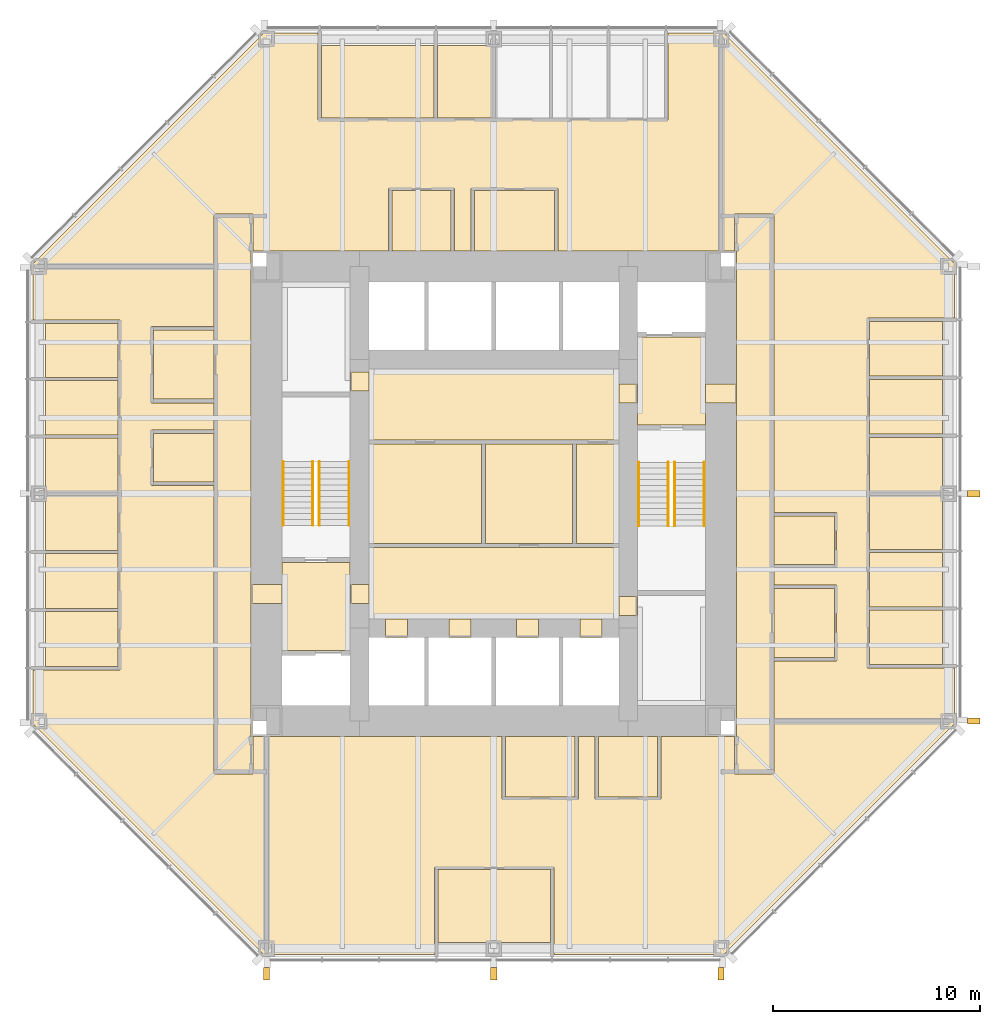
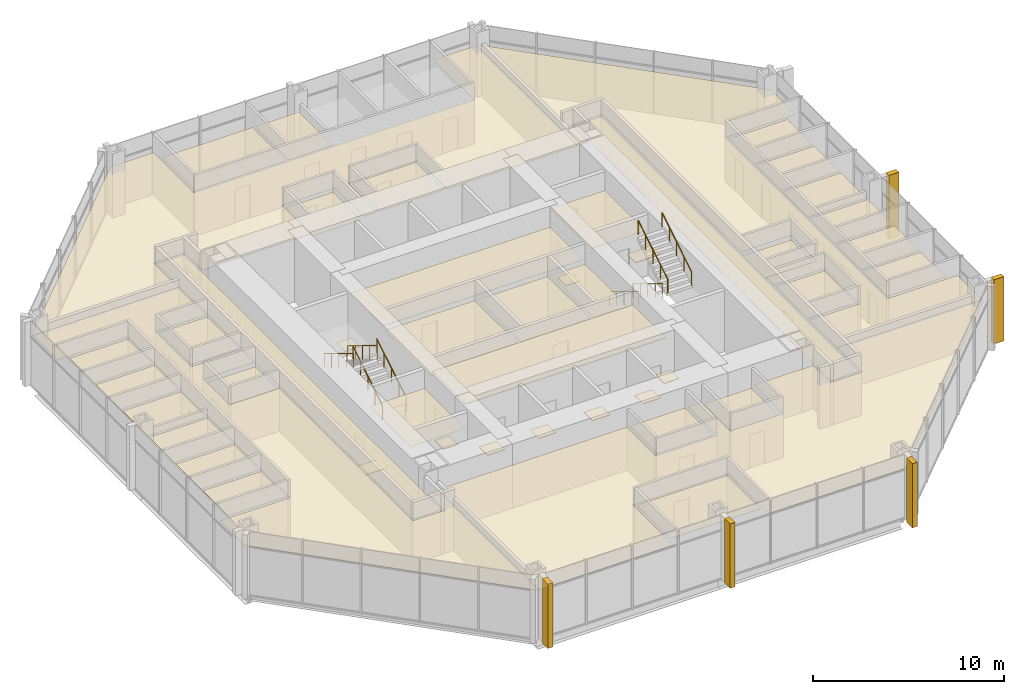
# One storey, part 13 of 14: 51 coverings, 8 railings.
"""IFC4 building model written with IfcOpenShell, lengths in metres."""

import ifcopenshell
import ifcopenshell.guid

model = None  # the IFC model being written
_history = None  # IfcOwnerHistory: only IFC2X3 demands one
_inside = {}  # id of a spatial element -> (the spatial element, [elements in it])
_under = {}  # id of a project, library or spatial element -> (it, [spatial elements below it])
_declared = {}  # id of a project -> (the project, [libraries it declares])
_typed = {}  # id of a type object -> (the type object, [elements of that type])
_made_of = {}  # id of a material, layer set ... -> (it, [elements and type objects made of it])


def new_model(schema):
    """Start an empty IFC model of exactly this schema.

    Asked for "IFC4X3", IfcOpenShell would pick the latest addendum, in which some entities
    have other attributes; the version numbers below select the first issue.
    IFC2X3 requires an IfcOwnerHistory on every rooted entity: one is made here for all.
    """
    global model, _history
    if schema == "IFC4X3":
        model = ifcopenshell.file(schema_version=(4, 3, 0, 0))
    else:
        model = ifcopenshell.file(schema=schema)
    _inside.clear()
    _under.clear()
    _declared.clear()
    _typed.clear()
    _made_of.clear()
    _history = None
    if model.schema == "IFC2X3":
        org = make("IfcOrganization", Name="unknown")
        user = make(
            "IfcPersonAndOrganization",
            ThePerson=make("IfcPerson", FamilyName="unknown"),
            TheOrganization=org,
        )
        app = make(
            "IfcApplication",
            ApplicationDeveloper=org,
            Version="unknown",
            ApplicationFullName="unknown",
            ApplicationIdentifier="unknown",
        )
        _history = make(
            "IfcOwnerHistory",
            OwningUser=user,
            OwningApplication=app,
            ChangeAction="ADDED",
            CreationDate=0,
        )
    return model


def make(cls, **values):
    """One entity of the class cls with the attributes given. An attribute that is None is left unset."""
    return model.create_entity(
        cls, **{name: value for name, value in values.items() if value is not None}
    )


def rooted(cls, **values):
    """An entity with a GlobalId (a new one), such as an element, a storey or a relation."""
    return make(cls, GlobalId=ifcopenshell.guid.new(), OwnerHistory=_history, **values)


def si_unit(unit_type, name, prefix=None):
    """IfcSIUnit, for example si_unit("LENGTHUNIT", "METRE", prefix="MILLI")."""
    return make("IfcSIUnit", UnitType=unit_type, Prefix=prefix, Name=name)


def assignment(units):
    """IfcUnitAssignment: the units of a project."""
    return None if units is None else make("IfcUnitAssignment", Units=units)


def point(xyz):
    """IfcCartesianPoint."""
    return None if xyz is None else make("IfcCartesianPoint", Coordinates=xyz)


def direction(xyz):
    """IfcDirection."""
    return None if xyz is None else make("IfcDirection", DirectionRatios=xyz)


def frame(location, z_axis=None, x_axis=None):
    """IfcAxis2Placement3D, a coordinate frame: its origin and axes. An axis left out is left unset."""
    return make(
        "IfcAxis2Placement3D",
        Location=point(location),
        Axis=direction(z_axis),
        RefDirection=direction(x_axis),
    )


def frame_2d(location, x_axis=None):
    """IfcAxis2Placement2D, a coordinate frame in the plane: its origin and x axis."""
    return make(
        "IfcAxis2Placement2D", Location=point(location), RefDirection=direction(x_axis)
    )


def origin():
    """The frame at (0, 0, 0) with its axes left unset."""
    return frame((0.0, 0.0, 0.0))


def origin_2d():
    """The frame at (0, 0) in the plane with its x axis left unset."""
    return frame_2d((0.0, 0.0))


def place(relative_to, where):
    """IfcLocalPlacement: puts the frame where relative to a parent placement (None: the world)."""
    return make(
        "IfcLocalPlacement", PlacementRelTo=relative_to, RelativePlacement=where
    )


def context(
    kind, dimensions, precision=None, world=None, true_north=None, identifier=None
):
    """IfcGeometricRepresentationContext, for example the 3D "Model" context."""
    return make(
        "IfcGeometricRepresentationContext",
        ContextIdentifier=identifier,
        ContextType=kind,
        CoordinateSpaceDimension=dimensions,
        Precision=precision,
        WorldCoordinateSystem=world,
        TrueNorth=true_north,
    )


def subcontext(parent, identifier, kind, view, scale=None):
    """IfcGeometricRepresentationSubContext, for example "Body" below "Model"."""
    return make(
        "IfcGeometricRepresentationSubContext",
        ContextIdentifier=identifier,
        ContextType=kind,
        ParentContext=parent,
        TargetScale=scale,
        TargetView=view,
    )


def project(units=None, contexts=None):
    """IfcProject with its units and contexts."""
    return rooted(
        "IfcProject",
        Name="project",
        RepresentationContexts=contexts,
        UnitsInContext=assignment(units),
    )


def spatial(cls, under=None, at=None, **own):
    """A site, building, storey or space (cls), placed at a placement, below another one or the project."""
    s = rooted(cls, ObjectPlacement=at, **own)
    if under is not None:
        _under.setdefault(under.id(), (under, []))[1].append(s)
    return s


def polyline(points):
    """IfcPolyline through the points."""
    return make("IfcPolyline", Points=[point(p) for p in points])


def profile(cls, at=None, kind="AREA", **sizes):
    """A parametric profile (cls). Its sizes go by their IFC names, for example OverallWidth=200.0."""
    return make(cls, ProfileType=kind, Position=at, **sizes)


def rectangle(**sizes):
    """IfcRectangleProfileDef."""
    return profile("IfcRectangleProfileDef", **sizes)


def circle(**sizes):
    """IfcCircleProfileDef."""
    return profile("IfcCircleProfileDef", **sizes)


def outline(outer, holes=None, kind="AREA"):
    """IfcArbitraryClosedProfileDef: a profile drawn as a closed curve; with holes, ...WithVoids."""
    if holes is None:
        return make("IfcArbitraryClosedProfileDef", ProfileType=kind, OuterCurve=outer)
    return make(
        "IfcArbitraryProfileDefWithVoids",
        ProfileType=kind,
        OuterCurve=outer,
        InnerCurves=holes,
    )


def extrude(swept, where, along, depth):
    """IfcExtrudedAreaSolid: the profile swept, set in the frame where, extruded along a direction by depth."""
    return make(
        "IfcExtrudedAreaSolid",
        SweptArea=swept,
        Position=where,
        ExtrudedDirection=direction(along),
        Depth=depth,
    )


def shape(context_of_items, identifier, shape_type, items):
    """IfcShapeRepresentation: the items that make up one representation, for example the "Body"."""
    return make(
        "IfcShapeRepresentation",
        ContextOfItems=context_of_items,
        RepresentationIdentifier=identifier,
        RepresentationType=shape_type,
        Items=items,
    )


def material(Name=None, Category=None):
    """IfcMaterial."""
    return make("IfcMaterial", Name=Name, Category=Category)


def layer(
    of_material, thickness, ventilated=None, Name=None, Category=None, Priority=None
):
    """IfcMaterialLayer: one layer of a wall or slab, of a material (None: an air gap)."""
    return make(
        "IfcMaterialLayer",
        Material=of_material,
        LayerThickness=thickness,
        IsVentilated=ventilated,
        Name=Name,
        Category=Category,
        Priority=Priority,
    )


def layer_set(layers, Name=None):
    """IfcMaterialLayerSet."""
    return make("IfcMaterialLayerSet", MaterialLayers=layers, LayerSetName=Name)


def made_of(thing, what):
    """Note that an element or type object is made of a material, layer set ...; save() writes the relation."""
    if what is not None:
        _made_of.setdefault(what.id(), (what, []))[1].append(thing)
    return thing


def type_object(cls, material=None, **own):
    """A type object (cls), such as IfcWallType, which elements share."""
    return made_of(rooted(cls, **own), material)


def element(
    cls,
    number,
    at=None,
    inside=None,
    cuts=None,
    type_object=None,
    material=None,
    context=None,
    identifier="Body",
    shape_type=None,
    held_by="IfcProductDefinitionShape",
    body=None,
    shapes=None,
    **own,
):
    """One element of the class cls, such as IfcWall. Its Tag is "e" and its number.

    at: its placement. inside: the storey or other place that contains it. cuts: it is an
    opening in that element (IfcRelVoidsElement). A single representation is given by context,
    identifier, shape_type and body (its items); several are given by shapes. held_by: the class
    of the entity that holds the representations. save() writes the other relations.
    """
    e = rooted(cls, Tag="e%d" % number, ObjectPlacement=at, **own)
    if body is not None:
        shapes = [shape(context, identifier, shape_type, body)]
    if shapes is not None:
        e.Representation = make(held_by, Representations=shapes)
    if inside is not None:
        _inside.setdefault(inside.id(), (inside, []))[1].append(e)
    if cuts is not None:
        rooted(
            "IfcRelVoidsElement", RelatingBuildingElement=cuts, RelatedOpeningElement=e
        )
    if type_object is not None:
        _typed.setdefault(type_object.id(), (type_object, []))[1].append(e)
    return made_of(e, material)


def aggregate(whole, parts):
    """IfcRelAggregates: a whole, such as a stair, and the parts it consists of."""
    return rooted("IfcRelAggregates", RelatingObject=whole, RelatedObjects=parts)


def save(model, path):
    """Write the relations noted so far, then the file.

    IfcRelAggregates (storeys below a building ...), IfcRelContainedInSpatialStructure (elements
    in a storey), IfcRelDefinesByType, IfcRelAssociatesMaterial and IfcRelDeclares: one each for
    every whole, place, type object, material and project.
    """
    for whole, parts in _under.values():
        aggregate(whole, parts)
    for where, things in _inside.values():
        rooted(
            "IfcRelContainedInSpatialStructure",
            RelatedElements=things,
            RelatingStructure=where,
        )
    for kind, things in _typed.values():
        rooted("IfcRelDefinesByType", RelatedObjects=things, RelatingType=kind)
    for what, things in _made_of.values():
        rooted("IfcRelAssociatesMaterial", RelatedObjects=things, RelatingMaterial=what)
    for by, libraries in _declared.values():
        rooted("IfcRelDeclares", RelatingContext=by, RelatedDefinitions=libraries)
    model.write(path)


model = new_model("IFC4")

# Units and contexts
model_context = context("Model", 3, precision=1e-05, world=origin(), true_north=direction((0.0, 1.0)))
body_context = subcontext(model_context, "Body", "Model", "MODEL_VIEW")
ifc_project = project(units=[si_unit("LENGTHUNIT", "METRE"), si_unit("AREAUNIT", "SQUARE_METRE"), si_unit("VOLUMEUNIT", "CUBIC_METRE"), si_unit("PLANEANGLEUNIT", "RADIAN"), si_unit("MASSUNIT", "GRAM", prefix="KILO")], contexts=[model_context])

# Site, building, storey
site_placement = place(None, origin())
site = spatial("IfcSite", under=ifc_project, at=site_placement, CompositionType="ELEMENT")
building_placement = place(site_placement, origin())
building = spatial("IfcBuilding", under=site, at=building_placement, Name="Trevanion Tower", CompositionType="ELEMENT")
storey_placement = place(building_placement, frame((0.0, 0.0, 109.0)))
storey = spatial("IfcBuildingStorey", under=building, at=storey_placement, Name="L25", CompositionType="ELEMENT", Elevation=109.0)

# Coverings
ifc_material_1 = material(Name="Fibrous plaster coffers on suspended steel grid", Category="steel")
ifc_layer_1 = layer(ifc_material_1, 0.050048828125)
ifc_layer_set_1 = layer_set([ifc_layer_1], Name="CL1 coffered fibrous plaster ceiling 50")
covering_type_1 = type_object("IfcCoveringType", Name="CL1 coffered fibrous plaster ceiling 50", PredefinedType="CEILING", material=ifc_layer_set_1)
covering_1_placement = place(storey_placement, frame((0.0, 0.0, 3.0)))
element("IfcCovering", 1, at=covering_1_placement, inside=storey, type_object=covering_type_1, Name="CL1 L25-LBS", PredefinedType="CEILING", context=body_context, shape_type="SweptSolid", body=[
    extrude(outline(polyline([(6.050048828125, -6.050048828125), (6.050048828125, -2.60009765625), (-6.050048828125, -2.60009765625), (-6.050048828125, -6.050048828125), (6.050048828125, -6.050048828125)])), origin(), (0.0, 0.0, 1.0), 0.050048828125),
])
ifc_material_2 = material(Name="Mineral fibre acoustic tiles in exposed grid", Category="mineral fibre")
ifc_layer_2 = layer(ifc_material_2, 0.02001953125)
ifc_layer_set_2 = layer_set([ifc_layer_2], Name="CL2 acoustic tile ceiling 20")
covering_type_2 = type_object("IfcCoveringType", Name="CL2 acoustic tile ceiling 20", PredefinedType="CEILING", material=ifc_layer_set_2)
covering_2_placement = place(storey_placement, frame((0.0, 0.0, 2.75)))
element("IfcCovering", 2, at=covering_2_placement, inside=storey, type_object=covering_type_2, Name="CL2 L25-LBN", PredefinedType="CEILING", context=body_context, shape_type="SweptSolid", body=[
    extrude(outline(polyline([(6.050048828125, 2.60009765625), (6.050048828125, 6.050048828125), (-6.050048828125, 6.050048828125), (-6.050048828125, 2.60009765625), (6.050048828125, 2.60009765625)])), origin(), (0.0, 0.0, 1.0), 0.02001953125),
])
covering_3_placement = place(storey_placement, frame((0.0, 0.0, 2.75)))
element("IfcCovering", 3, at=covering_3_placement, inside=storey, type_object=covering_type_2, Name="CL2 L25-CO1", PredefinedType="CEILING", context=body_context, shape_type="SweptSolid", body=[
    extrude(outline(polyline([(-11.75, 13.449951171875), (-11.75, -13.449951171875), (-13.449951171875, -13.449951171875), (-13.449951171875, 13.449951171875), (-11.75, 13.449951171875)])), origin(), (0.0, 0.0, 1.0), 0.02001953125),
])
covering_4_placement = place(storey_placement, frame((0.0, 0.0, 2.75)))
element("IfcCovering", 4, at=covering_4_placement, inside=storey, type_object=covering_type_2, Name="CL2 L25-CO2", PredefinedType="CEILING", context=body_context, shape_type="SweptSolid", body=[
    extrude(outline(polyline([(11.75, 13.449951171875), (13.449951171875, 13.449951171875), (13.449951171875, -13.449951171875), (11.75, -13.449951171875), (11.75, 13.449951171875)])), origin(), (0.0, 0.0, 1.0), 0.02001953125),
])
covering_5_placement = place(storey_placement, frame((0.0, 0.0, 2.75)))
element("IfcCovering", 5, at=covering_5_placement, inside=storey, type_object=covering_type_2, Name="CL2 L25-OF", PredefinedType="CEILING", context=body_context, shape_type="SweptSolid", body=[
    extrude(outline(polyline([(18.175048828125, -8.248046875), (18.175048828125, -5.6240234375), (21.699951171875, -5.6240234375), (21.699951171875, -8.248046875), (18.175048828125, -8.248046875)])), origin(), (0.0, 0.0, 1.0), 0.02001953125),
])
covering_6_placement = place(storey_placement, frame((0.0, 0.0, 2.75)))
element("IfcCovering", 6, at=covering_6_placement, inside=storey, type_object=covering_type_2, Name="CL2 L25-OF2", PredefinedType="CEILING", context=body_context, shape_type="SweptSolid", body=[
    extrude(outline(polyline([(18.175048828125, -5.47412109375), (18.175048828125, -2.85009765625), (21.699951171875, -2.85009765625), (21.699951171875, -5.47412109375), (18.175048828125, -5.47412109375)])), origin(), (0.0, 0.0, 1.0), 0.02001953125),
])
covering_7_placement = place(storey_placement, frame((0.0, 0.0, 2.75)))
element("IfcCovering", 7, at=covering_7_placement, inside=storey, type_object=covering_type_2, Name="CL2 L25-OF3", PredefinedType="CEILING", context=body_context, shape_type="SweptSolid", body=[
    extrude(outline(polyline([(18.175048828125, -2.699951171875), (18.175048828125, -0.074951171875), (21.699951171875, -0.074951171875), (21.699951171875, -2.699951171875), (18.175048828125, -2.699951171875)])), origin(), (0.0, 0.0, 1.0), 0.02001953125),
])
covering_8_placement = place(storey_placement, frame((0.0, 0.0, 2.75)))
element("IfcCovering", 8, at=covering_8_placement, inside=storey, type_object=covering_type_2, Name="CL2 L25-OF4", PredefinedType="CEILING", context=body_context, shape_type="SweptSolid", body=[
    extrude(outline(polyline([(18.175048828125, 0.074951171875), (18.175048828125, 2.73193359375), (21.699951171875, 2.73193359375), (21.699951171875, 0.074951171875), (18.175048828125, 0.074951171875)])), origin(), (0.0, 0.0, 1.0), 0.02001953125),
])
covering_9_placement = place(storey_placement, frame((0.0, 0.0, 2.75)))
element("IfcCovering", 9, at=covering_9_placement, inside=storey, type_object=covering_type_2, Name="CL2 L25-OF5", PredefinedType="CEILING", context=body_context, shape_type="SweptSolid", body=[
    extrude(outline(polyline([(18.175048828125, 2.882080078125), (18.175048828125, 5.5390625), (21.699951171875, 5.5390625), (21.699951171875, 2.882080078125), (18.175048828125, 2.882080078125)])), origin(), (0.0, 0.0, 1.0), 0.02001953125),
])
covering_10_placement = place(storey_placement, frame((0.0, 0.0, 2.75)))
element("IfcCovering", 10, at=covering_10_placement, inside=storey, type_object=covering_type_2, Name="CL2 L25-OF6", PredefinedType="CEILING", context=body_context, shape_type="SweptSolid", body=[
    extrude(outline(polyline([(18.175048828125, 5.68896484375), (18.175048828125, 8.345947265625), (21.699951171875, 8.345947265625), (21.699951171875, 5.68896484375), (18.175048828125, 5.68896484375)])), origin(), (0.0, 0.0, 1.0), 0.02001953125),
])
covering_11_placement = place(storey_placement, frame((0.0, 0.0, 2.75)))
element("IfcCovering", 11, at=covering_11_placement, inside=storey, type_object=covering_type_2, Name="CL2 L25-OF10", PredefinedType="CEILING", context=body_context, shape_type="SweptSolid", body=[
    extrude(outline(polyline([(-0.074951171875, 18.175048828125), (-2.73193359375, 18.175048828125), (-2.73193359375, 21.699951171875), (-0.074951171875, 21.699951171875), (-0.074951171875, 18.175048828125)])), origin(), (0.0, 0.0, 1.0), 0.02001953125),
])
covering_12_placement = place(storey_placement, frame((0.0, 0.0, 2.75)))
element("IfcCovering", 12, at=covering_12_placement, inside=storey, type_object=covering_type_2, Name="CL2 L25-MR", PredefinedType="CEILING", context=body_context, shape_type="SweptSolid", body=[
    extrude(outline(polyline([(-2.882080078125, 18.175048828125), (-8.345947265625, 18.175048828125), (-8.345947265625, 21.699951171875), (-2.882080078125, 21.699951171875), (-2.882080078125, 18.175048828125)])), origin(), (0.0, 0.0, 1.0), 0.02001953125),
])
covering_13_placement = place(storey_placement, frame((0.0, 0.0, 2.75)))
element("IfcCovering", 13, at=covering_13_placement, inside=storey, type_object=covering_type_2, Name="CL2 L25-OF11", PredefinedType="CEILING", context=body_context, shape_type="SweptSolid", body=[
    extrude(outline(polyline([(-18.175048828125, 8.248046875), (-18.175048828125, 5.6240234375), (-21.699951171875, 5.6240234375), (-21.699951171875, 8.248046875), (-18.175048828125, 8.248046875)])), origin(), (0.0, 0.0, 1.0), 0.02001953125),
])
covering_14_placement = place(storey_placement, frame((0.0, 0.0, 2.75)))
element("IfcCovering", 14, at=covering_14_placement, inside=storey, type_object=covering_type_2, Name="CL2 L25-OF12", PredefinedType="CEILING", context=body_context, shape_type="SweptSolid", body=[
    extrude(outline(polyline([(-18.175048828125, 5.47412109375), (-18.175048828125, 2.85009765625), (-21.699951171875, 2.85009765625), (-21.699951171875, 5.47412109375), (-18.175048828125, 5.47412109375)])), origin(), (0.0, 0.0, 1.0), 0.02001953125),
])
covering_15_placement = place(storey_placement, frame((0.0, 0.0, 2.75)))
element("IfcCovering", 15, at=covering_15_placement, inside=storey, type_object=covering_type_2, Name="CL2 L25-OF13", PredefinedType="CEILING", context=body_context, shape_type="SweptSolid", body=[
    extrude(outline(polyline([(-18.175048828125, 2.699951171875), (-18.175048828125, 0.074951171875), (-21.699951171875, 0.074951171875), (-21.699951171875, 2.699951171875), (-18.175048828125, 2.699951171875)])), origin(), (0.0, 0.0, 1.0), 0.02001953125),
])
covering_16_placement = place(storey_placement, frame((0.0, 0.0, 2.75)))
element("IfcCovering", 16, at=covering_16_placement, inside=storey, type_object=covering_type_2, Name="CL2 L25-OF14", PredefinedType="CEILING", context=body_context, shape_type="SweptSolid", body=[
    extrude(outline(polyline([(-18.175048828125, -0.074951171875), (-18.175048828125, -2.73193359375), (-21.699951171875, -2.73193359375), (-21.699951171875, -0.074951171875), (-18.175048828125, -0.074951171875)])), origin(), (0.0, 0.0, 1.0), 0.02001953125),
])
covering_17_placement = place(storey_placement, frame((0.0, 0.0, 2.75)))
element("IfcCovering", 17, at=covering_17_placement, inside=storey, type_object=covering_type_2, Name="CL2 L25-OF15", PredefinedType="CEILING", context=body_context, shape_type="SweptSolid", body=[
    extrude(outline(polyline([(-18.175048828125, -2.882080078125), (-18.175048828125, -5.5390625), (-21.699951171875, -5.5390625), (-21.699951171875, -2.882080078125), (-18.175048828125, -2.882080078125)])), origin(), (0.0, 0.0, 1.0), 0.02001953125),
])
covering_18_placement = place(storey_placement, frame((0.0, 0.0, 2.75)))
element("IfcCovering", 18, at=covering_18_placement, inside=storey, type_object=covering_type_2, Name="CL2 L25-OF16", PredefinedType="CEILING", context=body_context, shape_type="SweptSolid", body=[
    extrude(outline(polyline([(-18.175048828125, -5.68896484375), (-18.175048828125, -8.345947265625), (-21.699951171875, -8.345947265625), (-21.699951171875, -5.68896484375), (-18.175048828125, -5.68896484375)])), origin(), (0.0, 0.0, 1.0), 0.02001953125),
])
covering_19_placement = place(storey_placement, frame((0.0, 0.0, 2.75)))
element("IfcCovering", 19, at=covering_19_placement, inside=storey, type_object=covering_type_2, Name="CL2 L25-MR2", PredefinedType="CEILING", context=body_context, shape_type="SweptSolid", body=[
    extrude(outline(polyline([(-2.699951171875, -18.175048828125), (2.73193359375, -18.175048828125), (2.73193359375, -21.699951171875), (-2.699951171875, -21.699951171875), (-2.699951171875, -18.175048828125)])), origin(), (0.0, 0.0, 1.0), 0.02001953125),
])
covering_20_placement = place(storey_placement, frame((0.0, 0.0, 2.75)))
element("IfcCovering", 20, at=covering_20_placement, inside=storey, type_object=covering_type_2, Name="CL2 L25-RC", PredefinedType="CEILING", context=body_context, shape_type="SweptSolid", body=[
    extrude(outline(polyline([(13.550048828125, -7.925048828125), (13.550048828125, -4.574951171875), (16.47509765625, -4.574951171875), (16.47509765625, -7.925048828125), (13.550048828125, -7.925048828125)])), origin(), (0.0, 0.0, 1.0), 0.02001953125),
])
covering_21_placement = place(storey_placement, frame((0.0, 0.0, 2.75)))
element("IfcCovering", 21, at=covering_21_placement, inside=storey, type_object=covering_type_2, Name="CL2 L25-RC2", PredefinedType="CEILING", context=body_context, shape_type="SweptSolid", body=[
    extrude(outline(polyline([(-0.925048828125, 14.675048828125), (2.925048828125, 14.675048828125), (2.925048828125, 11.75), (-0.925048828125, 11.75), (-0.925048828125, 14.675048828125)])), origin(), (0.0, 0.0, 1.0), 0.02001953125),
])
covering_22_placement = place(storey_placement, frame((0.0, 0.0, 2.75)))
element("IfcCovering", 22, at=covering_22_placement, inside=storey, type_object=covering_type_2, Name="CL2 L25-RC3", PredefinedType="CEILING", context=body_context, shape_type="SweptSolid", body=[
    extrude(outline(polyline([(-13.550048828125, 7.925048828125), (-13.550048828125, 4.574951171875), (-16.47509765625, 4.574951171875), (-16.47509765625, 7.925048828125), (-13.550048828125, 7.925048828125)])), origin(), (0.0, 0.0, 1.0), 0.02001953125),
])
covering_23_placement = place(storey_placement, frame((0.0, 0.0, 2.75)))
element("IfcCovering", 23, at=covering_23_placement, inside=storey, type_object=covering_type_2, Name="CL2 L25-RC4", PredefinedType="CEILING", context=body_context, shape_type="SweptSolid", body=[
    extrude(outline(polyline([(3.925048828125, -14.675048828125), (0.574951171875, -14.675048828125), (0.574951171875, -11.75), (3.925048828125, -11.75), (3.925048828125, -14.675048828125)])), origin(), (0.0, 0.0, 1.0), 0.02001953125),
])
covering_24_placement = place(storey_placement, frame((0.0, 0.0, 2.75)))
element("IfcCovering", 24, at=covering_24_placement, inside=storey, type_object=covering_type_2, Name="CL2 L25-OP", PredefinedType="CEILING", context=body_context, shape_type="SweptSolid", body=[
    extrude(outline(polyline([(13.550048828125, -8.094970703125), (16.570068359375, -8.094970703125), (16.570068359375, -4.405029296875), (13.550048828125, -4.405029296875), (13.550048828125, -3.594970703125), (16.570068359375, -3.594970703125), (16.570068359375, -0.905029296875), (13.550048828125, -0.905029296875), (13.550048828125, 13.550048828125), (11.64990234375, 13.550048828125), (11.64990234375, 11.75), (11.0, 11.75), (11.0, 22.300048828125), (11.124267578125, 22.300048828125), (22.300048828125, 11.124267578125), (22.300048828125, 8.51611328125), (18.080078125, 8.51611328125), (18.080078125, -8.41796875), (22.300048828125, -8.41796875), (22.300048828125, -11.0), (13.550048828125, -11.0), (13.550048828125, -8.094970703125)])), origin(), (0.0, 0.0, 1.0), 0.02001953125),
])
covering_25_placement = place(storey_placement, frame((0.0, 0.0, 2.75)))
element("IfcCovering", 25, at=covering_25_placement, inside=storey, type_object=covering_type_2, Name="CL2 L25-OP2", PredefinedType="CEILING", context=body_context, shape_type="SweptSolid", body=[
    extrude(outline(polyline([(3.094970703125, 11.75), (3.094970703125, 14.77001953125), (-1.094970703125, 14.77001953125), (-1.094970703125, 11.75), (-1.905029296875, 11.75), (-1.905029296875, 14.77001953125), (-5.094970703125, 14.77001953125), (-5.094970703125, 11.75), (-11.64990234375, 11.75), (-11.64990234375, 13.550048828125), (-13.550048828125, 13.550048828125), (-13.550048828125, 11.0), (-22.300048828125, 11.0), (-22.300048828125, 11.124267578125), (-11.124267578125, 22.300048828125), (-8.51611328125, 22.300048828125), (-8.51611328125, 18.080078125), (8.41796875, 18.080078125), (8.41796875, 22.300048828125), (11.0, 22.300048828125), (11.0, 11.75), (3.094970703125, 11.75)])), origin(), (0.0, 0.0, 1.0), 0.02001953125),
])
covering_26_placement = place(storey_placement, frame((0.0, 0.0, 2.75)))
element("IfcCovering", 26, at=covering_26_placement, inside=storey, type_object=covering_type_2, Name="CL2 L25-OP3", PredefinedType="CEILING", context=body_context, shape_type="SweptSolid", body=[
    extrude(outline(polyline([(-13.550048828125, 8.094970703125), (-16.570068359375, 8.094970703125), (-16.570068359375, 4.405029296875), (-13.550048828125, 4.405029296875), (-13.550048828125, 3.094970703125), (-16.570068359375, 3.094970703125), (-16.570068359375, 0.405029296875), (-13.550048828125, 0.405029296875), (-13.550048828125, -13.550048828125), (-11.64990234375, -13.550048828125), (-11.64990234375, -11.75), (-11.0, -11.75), (-11.0, -22.300048828125), (-11.124267578125, -22.300048828125), (-22.300048828125, -11.124267578125), (-22.300048828125, -8.51611328125), (-18.080078125, -8.51611328125), (-18.080078125, 8.41796875), (-22.300048828125, 8.41796875), (-22.300048828125, 11.0), (-13.550048828125, 11.0), (-13.550048828125, 8.094970703125)])), origin(), (0.0, 0.0, 1.0), 0.02001953125),
])
covering_27_placement = place(storey_placement, frame((0.0, 0.0, 2.75)))
element("IfcCovering", 27, at=covering_27_placement, inside=storey, type_object=covering_type_2, Name="CL2 L25-OP4", PredefinedType="CEILING", context=body_context, shape_type="SweptSolid", body=[
    extrude(outline(polyline([(0.405029296875, -11.75), (0.405029296875, -14.77001953125), (4.094970703125, -14.77001953125), (4.094970703125, -11.75), (4.905029296875, -11.75), (4.905029296875, -14.77001953125), (8.094970703125, -14.77001953125), (8.094970703125, -11.75), (11.64990234375, -11.75), (11.64990234375, -13.550048828125), (13.550048828125, -13.550048828125), (13.550048828125, -11.0), (22.300048828125, -11.0), (22.300048828125, -11.124267578125), (11.124267578125, -22.300048828125), (2.902099609375, -22.300048828125), (2.902099609375, -18.080078125), (-2.8701171875, -18.080078125), (-2.8701171875, -22.300048828125), (-11.0, -22.300048828125), (-11.0, -11.75), (0.405029296875, -11.75)])), origin(), (0.0, 0.0, 1.0), 0.02001953125),
])
ifc_material_3 = material(Name="Gypsum plasterboard on suspended metal furring", Category="gypsum")
ifc_layer_3 = layer(ifc_material_3, 0.012939453125)
ifc_layer_set_3 = layer_set([ifc_layer_3], Name="CL3 plasterboard ceiling 13")
covering_type_3 = type_object("IfcCoveringType", Name="CL3 plasterboard ceiling 13", PredefinedType="CEILING", material=ifc_layer_set_3)
covering_28_placement = place(storey_placement, frame((0.0, 0.0, 2.699951171875)))
element("IfcCovering", 28, at=covering_28_placement, inside=storey, type_object=covering_type_3, Name="CL3 L25-FV1", PredefinedType="CEILING", context=body_context, shape_type="SweptSolid", body=[
    extrude(outline(polyline([(10.25, 3.324951171875), (10.25, 7.574951171875), (6.949951171875, 7.574951171875), (6.949951171875, 3.324951171875), (10.25, 3.324951171875)])), origin(), (0.0, 0.0, 1.0), 0.012939453125),
])
covering_29_placement = place(storey_placement, frame((0.0, 0.0, 2.699951171875)))
element("IfcCovering", 29, at=covering_29_placement, inside=storey, type_object=covering_type_3, Name="CL3 L25-FV2", PredefinedType="CEILING", context=body_context, shape_type="SweptSolid", body=[
    extrude(outline(polyline([(-10.25, -3.324951171875), (-10.25, -7.574951171875), (-6.949951171875, -7.574951171875), (-6.949951171875, -3.324951171875), (-10.25, -3.324951171875)])), origin(), (0.0, 0.0, 1.0), 0.012939453125),
])
ifc_material_4 = material(Name="Moisture-resistant gypsum board on suspended metal furring", Category="gypsum")
ifc_layer_4 = layer(ifc_material_4, 0.01611328125)
ifc_layer_set_4 = layer_set([ifc_layer_4], Name="CL4 moisture-resistant board ceiling 16")
covering_type_4 = type_object("IfcCoveringType", Name="CL4 moisture-resistant board ceiling 16", PredefinedType="CEILING", material=ifc_layer_set_4)
covering_30_placement = place(storey_placement, frame((0.0, 0.0, 2.60009765625)))
element("IfcCovering", 30, at=covering_30_placement, inside=storey, type_object=covering_type_4, Name="CL4 L25-WCM", PredefinedType="CEILING", context=body_context, shape_type="SweptSolid", body=[
    extrude(outline(polyline([(-0.60009765625, -2.39990234375), (-0.60009765625, 2.39990234375), (-6.050048828125, 2.39990234375), (-6.050048828125, -2.39990234375), (-0.60009765625, -2.39990234375)])), origin(), (0.0, 0.0, 1.0), 0.015869140625),
])
covering_31_placement = place(storey_placement, frame((0.0, 0.0, 2.60009765625)))
element("IfcCovering", 31, at=covering_31_placement, inside=storey, type_object=covering_type_4, Name="CL4 L25-WCF", PredefinedType="CEILING", context=body_context, shape_type="SweptSolid", body=[
    extrude(outline(polyline([(3.800048828125, -2.39990234375), (3.800048828125, 2.39990234375), (-0.39990234375, 2.39990234375), (-0.39990234375, -2.39990234375), (3.800048828125, -2.39990234375)])), origin(), (0.0, 0.0, 1.0), 0.015869140625),
])
covering_32_placement = place(storey_placement, frame((0.0, 0.0, 2.60009765625)))
element("IfcCovering", 32, at=covering_32_placement, inside=storey, type_object=covering_type_4, Name="CL4 L25-WCA", PredefinedType="CEILING", context=body_context, shape_type="SweptSolid", body=[
    extrude(outline(polyline([(6.050048828125, -2.39990234375), (6.050048828125, 2.39990234375), (4.0, 2.39990234375), (4.0, -2.39990234375), (6.050048828125, -2.39990234375)])), origin(), (0.0, 0.0, 1.0), 0.015869140625),
])
covering_33_placement = place(storey_placement, frame((0.0, 0.0, 2.60009765625)))
element("IfcCovering", 33, at=covering_33_placement, inside=storey, type_object=covering_type_4, Name="CL4 L25-PA", PredefinedType="CEILING", context=body_context, shape_type="SweptSolid", body=[
    extrude(outline(polyline([(13.550048828125, -3.425048828125), (13.550048828125, -1.074951171875), (16.47509765625, -1.074951171875), (16.47509765625, -3.425048828125), (13.550048828125, -3.425048828125)])), origin(), (0.0, 0.0, 1.0), 0.015869140625),
])
covering_34_placement = place(storey_placement, frame((0.0, 0.0, 2.60009765625)))
element("IfcCovering", 34, at=covering_34_placement, inside=storey, type_object=covering_type_4, Name="CL4 L25-PA2", PredefinedType="CEILING", context=body_context, shape_type="SweptSolid", body=[
    extrude(outline(polyline([(-4.925048828125, 14.675048828125), (-2.074951171875, 14.675048828125), (-2.074951171875, 11.75), (-4.925048828125, 11.75), (-4.925048828125, 14.675048828125)])), origin(), (0.0, 0.0, 1.0), 0.015869140625),
])
covering_35_placement = place(storey_placement, frame((0.0, 0.0, 2.60009765625)))
element("IfcCovering", 35, at=covering_35_placement, inside=storey, type_object=covering_type_4, Name="CL4 L25-PA3", PredefinedType="CEILING", context=body_context, shape_type="SweptSolid", body=[
    extrude(outline(polyline([(-13.550048828125, 2.925048828125), (-13.550048828125, 0.574951171875), (-16.47509765625, 0.574951171875), (-16.47509765625, 2.925048828125), (-13.550048828125, 2.925048828125)])), origin(), (0.0, 0.0, 1.0), 0.015869140625),
])
covering_36_placement = place(storey_placement, frame((0.0, 0.0, 2.60009765625)))
element("IfcCovering", 36, at=covering_36_placement, inside=storey, type_object=covering_type_4, Name="CL4 L25-PA4", PredefinedType="CEILING", context=body_context, shape_type="SweptSolid", body=[
    extrude(outline(polyline([(7.925048828125, -14.675048828125), (5.074951171875, -14.675048828125), (5.074951171875, -11.75), (7.925048828125, -11.75), (7.925048828125, -14.675048828125)])), origin(), (0.0, 0.0, 1.0), 0.015869140625),
])
ifc_material_5 = material(Name="Cast bronze fin on aluminium carrier", Category="aluminium")
covering_type_5 = type_object("IfcCoveringType", Name="F1 bronze fin", PredefinedType="CLADDING", material=ifc_material_5)
for number, where, z_axis, x_axis, name in (
    (37, (23.22509765625, -11.0, -0.18994140625), (0.0, 0.0, 1.0), (0.0, 1.0, 0.0), "F1 L25 east -11.0"),
    (38, (23.22509765625, 0.0, -0.18994140625), (0.0, 0.0, 1.0), (0.0, 1.0, 0.0), "F1 L25 east +0.0"),
    (39, (-11.0, -23.22509765625, -0.18994140625), (0.0, 0.0, 1.0), (1.0, 0.0, 0.0), "F1 L25 south -11.0"),
    (40, (0.0, -23.22509765625, -0.18994140625), (0.0, 0.0, 1.0), (1.0, 0.0, 0.0), "F1 L25 south +0.0"),
    (41, (11.0, -23.22509765625, -0.18994140625), (0.0, 0.0, 1.0), (1.0, 0.0, 0.0), "F1 L25 south +11.0"),
):
    element("IfcCovering", number, at=place(storey_placement, frame(where, z_axis=z_axis, x_axis=x_axis)), inside=storey, type_object=covering_type_5, Name=name, PredefinedType="CLADDING", context=body_context, shape_type="SweptSolid", body=[
        extrude(rectangle(XDim=0.300048828125, YDim=0.60009765625, at=origin_2d()), origin(), (0.0, 0.0, 1.0), 4.10009765625),
    ])
ifc_material_6 = material(Name="Terrazzo, brass divider strips", Category="stone")
ifc_layer_5 = layer(ifc_material_6, 0.02001953125)
ifc_layer_set_5 = layer_set([ifc_layer_5], Name="FF1 terrazzo flooring")
covering_type_6 = type_object("IfcCoveringType", Name="FF1 terrazzo flooring", PredefinedType="FLOORING", material=ifc_layer_set_5)
covering_37_placement = place(storey_placement, origin())
element("IfcCovering", 42, at=covering_37_placement, inside=storey, type_object=covering_type_6, Name="FF1 threshold 25-001", PredefinedType="FLOORING", context=body_context, shape_type="SweptSolid", body=[
    extrude(outline(polyline([(11.75, 4.392578125), (11.75, 5.3076171875), (10.25, 5.3076171875), (10.25, 4.392578125), (11.75, 4.392578125)])), origin(), (0.0, 0.0, 1.0), 0.02001953125),
])
covering_38_placement = place(storey_placement, origin())
element("IfcCovering", 43, at=covering_38_placement, inside=storey, type_object=covering_type_6, Name="FF1 threshold 25-002", PredefinedType="FLOORING", context=body_context, shape_type="SweptSolid", body=[
    extrude(outline(polyline([(-11.75, -4.392578125), (-11.75, -5.3076171875), (-10.25, -5.3076171875), (-10.25, -4.392578125), (-11.75, -4.392578125)])), origin(), (0.0, 0.0, 1.0), 0.02001953125),
])
covering_39_placement = place(storey_placement, origin())
element("IfcCovering", 44, at=covering_39_placement, inside=storey, type_object=covering_type_6, Name="FF1 threshold 25-003", PredefinedType="FLOORING", context=body_context, shape_type="SweptSolid", body=[
    extrude(outline(polyline([(6.949951171875, 4.392578125), (6.949951171875, 5.3076171875), (6.050048828125, 5.3076171875), (6.050048828125, 4.392578125), (6.949951171875, 4.392578125)])), origin(), (0.0, 0.0, 1.0), 0.02001953125),
])
covering_40_placement = place(storey_placement, origin())
element("IfcCovering", 45, at=covering_40_placement, inside=storey, type_object=covering_type_6, Name="FF1 threshold 25-004", PredefinedType="FLOORING", context=body_context, shape_type="SweptSolid", body=[
    extrude(outline(polyline([(-6.949951171875, -4.392578125), (-6.949951171875, -5.3076171875), (-6.050048828125, -5.3076171875), (-6.050048828125, -4.392578125), (-6.949951171875, -4.392578125)])), origin(), (0.0, 0.0, 1.0), 0.02001953125),
])
covering_41_placement = place(storey_placement, origin())
element("IfcCovering", 46, at=covering_41_placement, inside=storey, type_object=covering_type_6, Name="FF1 threshold 25-009", PredefinedType="FLOORING", context=body_context, shape_type="SweptSolid", body=[
    extrude(outline(polyline([(6.949951171875, -5.889892578125), (6.949951171875, -4.97509765625), (6.050048828125, -4.97509765625), (6.050048828125, -5.889892578125), (6.949951171875, -5.889892578125)])), origin(), (0.0, 0.0, 1.0), 0.02001953125),
])
covering_42_placement = place(storey_placement, origin())
element("IfcCovering", 47, at=covering_42_placement, inside=storey, type_object=covering_type_6, Name="FF1 threshold 25-010", PredefinedType="FLOORING", context=body_context, shape_type="SweptSolid", body=[
    extrude(outline(polyline([(-6.949951171875, 5.889892578125), (-6.949951171875, 4.97509765625), (-6.050048828125, 4.97509765625), (-6.050048828125, 5.889892578125), (-6.949951171875, 5.889892578125)])), origin(), (0.0, 0.0, 1.0), 0.02001953125),
])
covering_43_placement = place(storey_placement, origin())
element("IfcCovering", 48, at=covering_43_placement, inside=storey, type_object=covering_type_6, Name="FF1 threshold 25-011", PredefinedType="FLOORING", context=body_context, shape_type="SweptSolid", body=[
    extrude(outline(polyline([(-5.2333984375, -6.949951171875), (-4.16650390625, -6.949951171875), (-4.16650390625, -6.050048828125), (-5.2333984375, -6.050048828125), (-5.2333984375, -6.949951171875)])), origin(), (0.0, 0.0, 1.0), 0.02001953125),
])
covering_44_placement = place(storey_placement, origin())
element("IfcCovering", 49, at=covering_44_placement, inside=storey, type_object=covering_type_6, Name="FF1 threshold 25-012", PredefinedType="FLOORING", context=body_context, shape_type="SweptSolid", body=[
    extrude(outline(polyline([(-2.158447265625, -6.949951171875), (-1.091552734375, -6.949951171875), (-1.091552734375, -6.050048828125), (-2.158447265625, -6.050048828125), (-2.158447265625, -6.949951171875)])), origin(), (0.0, 0.0, 1.0), 0.02001953125),
])
covering_45_placement = place(storey_placement, origin())
element("IfcCovering", 50, at=covering_45_placement, inside=storey, type_object=covering_type_6, Name="FF1 threshold 25-013", PredefinedType="FLOORING", context=body_context, shape_type="SweptSolid", body=[
    extrude(outline(polyline([(1.091552734375, -6.949951171875), (2.158447265625, -6.949951171875), (2.158447265625, -6.050048828125), (1.091552734375, -6.050048828125), (1.091552734375, -6.949951171875)])), origin(), (0.0, 0.0, 1.0), 0.02001953125),
])
covering_46_placement = place(storey_placement, origin())
element("IfcCovering", 51, at=covering_46_placement, inside=storey, type_object=covering_type_6, Name="FF1 threshold 25-014", PredefinedType="FLOORING", context=body_context, shape_type="SweptSolid", body=[
    extrude(outline(polyline([(4.16650390625, -6.949951171875), (5.2333984375, -6.949951171875), (5.2333984375, -6.050048828125), (4.16650390625, -6.050048828125), (4.16650390625, -6.949951171875)])), origin(), (0.0, 0.0, 1.0), 0.02001953125),
])

# Railings
ifc_material_7 = material(Name="Stainless steel tube 40 mm", Category="steel")
railing_type = type_object("IfcRailingType", Name="HR1 handrail", PredefinedType="HANDRAIL", material=ifc_material_7)
for number, where, name in (
    (52, (7.010009765625, 1.52490234375, 0.1708984375), "HR1 ST1 L25 flight 1"),
    (53, (8.43994140625, 1.52490234375, 0.1708984375), "HR1 ST1 L25 flight 1"),
):
    element("IfcRailing", number, at=place(storey_placement, frame(where)), inside=storey, type_object=railing_type, Name=name, PredefinedType="HANDRAIL", context=body_context, shape_type="SweptSolid", body=[
        extrude(circle(Radius=0.02001953125, at=origin_2d()), frame((0.0, 0.0, 0.8798828125), z_axis=(0.0, -0.853647949592, 0.520850437417), x_axis=(1.0, 0.0, 0.0)), (0.0, 0.0, 1.0), 3.60791015625),
        extrude(circle(Radius=0.01513671875, at=origin_2d()), origin(), (0.0, 0.0, 1.0), 0.85986328125),
        extrude(circle(Radius=0.01513671875, at=origin_2d()), frame((0.0, -0.77001953125, 0.4697265625)), (0.0, 0.0, 1.0), 0.85986328125),
        extrude(circle(Radius=0.01513671875, at=origin_2d()), frame((0.0, -1.5400390625, 0.939453125)), (0.0, 0.0, 1.0), 0.85986328125),
        extrude(circle(Radius=0.01513671875, at=origin_2d()), frame((0.0, -2.309814453125, 1.409423828125)), (0.0, 0.0, 1.0), 0.85986328125),
        extrude(circle(Radius=0.01513671875, at=origin_2d()), frame((0.0, -3.079833984375, 1.879150390625)), (0.0, 0.0, 1.0), 0.85986328125),
    ])
for number, where, name in (
    (54, (8.760009765625, -1.554931640625, 2.220703125), "HR1 ST1 L25 flight 2"),
    (55, (10.18994140625, -1.554931640625, 2.220703125), "HR1 ST1 L25 flight 2"),
):
    element("IfcRailing", number, at=place(storey_placement, frame(where)), inside=storey, type_object=railing_type, Name=name, PredefinedType="HANDRAIL", context=body_context, shape_type="SweptSolid", body=[
        extrude(circle(Radius=0.02001953125, at=origin_2d()), frame((0.0, 0.0, 0.8798828125), z_axis=(0.0, 0.853617861917, 0.520899746416), x_axis=(-1.0, 0.0, 0.0)), (0.0, 0.0, 1.0), 3.60791015625),
        extrude(circle(Radius=0.01513671875, at=origin_2d()), origin(), (0.0, 0.0, 1.0), 0.85986328125),
        extrude(circle(Radius=0.01513671875, at=origin_2d()), frame((0.0, 0.77001953125, 0.4697265625)), (0.0, 0.0, 1.0), 0.85986328125),
        extrude(circle(Radius=0.01513671875, at=origin_2d()), frame((0.0, 1.5400390625, 0.939697265625)), (0.0, 0.0, 1.0), 0.85986328125),
        extrude(circle(Radius=0.01513671875, at=origin_2d()), frame((0.0, 2.309814453125, 1.40966796875)), (0.0, 0.0, 1.0), 0.85986328125),
        extrude(circle(Radius=0.01513671875, at=origin_2d()), frame((0.0, 3.079833984375, 1.87939453125)), (0.0, 0.0, 1.0), 0.85986328125),
    ])
for number, where, name in (
    (56, (-7.010009765625, -1.52490234375, 0.1708984375), "HR1 ST2 L25 flight 1"),
    (57, (-8.43994140625, -1.52490234375, 0.1708984375), "HR1 ST2 L25 flight 1"),
):
    element("IfcRailing", number, at=place(storey_placement, frame(where)), inside=storey, type_object=railing_type, Name=name, PredefinedType="HANDRAIL", context=body_context, shape_type="SweptSolid", body=[
        extrude(circle(Radius=0.02001953125, at=origin_2d()), frame((0.0, 0.0, 0.8798828125), z_axis=(0.0, 0.853647949592, 0.520850437417), x_axis=(-1.0, 0.0, 0.0)), (0.0, 0.0, 1.0), 3.60791015625),
        extrude(circle(Radius=0.01513671875, at=origin_2d()), origin(), (0.0, 0.0, 1.0), 0.85986328125),
        extrude(circle(Radius=0.01513671875, at=origin_2d()), frame((0.0, 0.77001953125, 0.4697265625)), (0.0, 0.0, 1.0), 0.85986328125),
        extrude(circle(Radius=0.01513671875, at=origin_2d()), frame((0.0, 1.5400390625, 0.939453125)), (0.0, 0.0, 1.0), 0.85986328125),
        extrude(circle(Radius=0.01513671875, at=origin_2d()), frame((0.0, 2.309814453125, 1.409423828125)), (0.0, 0.0, 1.0), 0.85986328125),
        extrude(circle(Radius=0.01513671875, at=origin_2d()), frame((0.0, 3.079833984375, 1.879150390625)), (0.0, 0.0, 1.0), 0.85986328125),
    ])
for number, where, name in (
    (58, (-8.760009765625, 1.554931640625, 2.220703125), "HR1 ST2 L25 flight 2"),
    (59, (-10.18994140625, 1.554931640625, 2.220703125), "HR1 ST2 L25 flight 2"),
):
    element("IfcRailing", number, at=place(storey_placement, frame(where)), inside=storey, type_object=railing_type, Name=name, PredefinedType="HANDRAIL", context=body_context, shape_type="SweptSolid", body=[
        extrude(circle(Radius=0.02001953125, at=origin_2d()), frame((0.0, 0.0, 0.8798828125), z_axis=(0.0, -0.853617861917, 0.520899746416), x_axis=(1.0, 0.0, 0.0)), (0.0, 0.0, 1.0), 3.60791015625),
        extrude(circle(Radius=0.01513671875, at=origin_2d()), origin(), (0.0, 0.0, 1.0), 0.85986328125),
        extrude(circle(Radius=0.01513671875, at=origin_2d()), frame((0.0, -0.77001953125, 0.4697265625)), (0.0, 0.0, 1.0), 0.85986328125),
        extrude(circle(Radius=0.01513671875, at=origin_2d()), frame((0.0, -1.5400390625, 0.939697265625)), (0.0, 0.0, 1.0), 0.85986328125),
        extrude(circle(Radius=0.01513671875, at=origin_2d()), frame((0.0, -2.309814453125, 1.40966796875)), (0.0, 0.0, 1.0), 0.85986328125),
        extrude(circle(Radius=0.01513671875, at=origin_2d()), frame((0.0, -3.079833984375, 1.87939453125)), (0.0, 0.0, 1.0), 0.85986328125),
    ])

save(model, "model.ifc")
